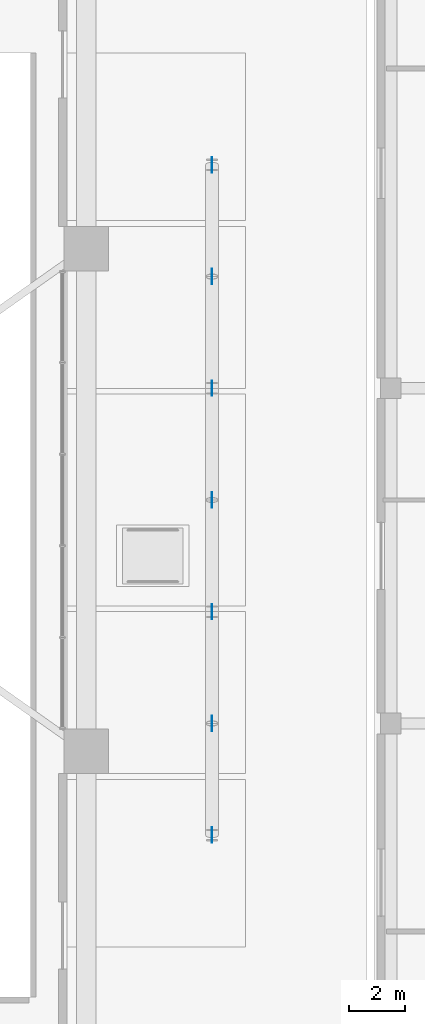
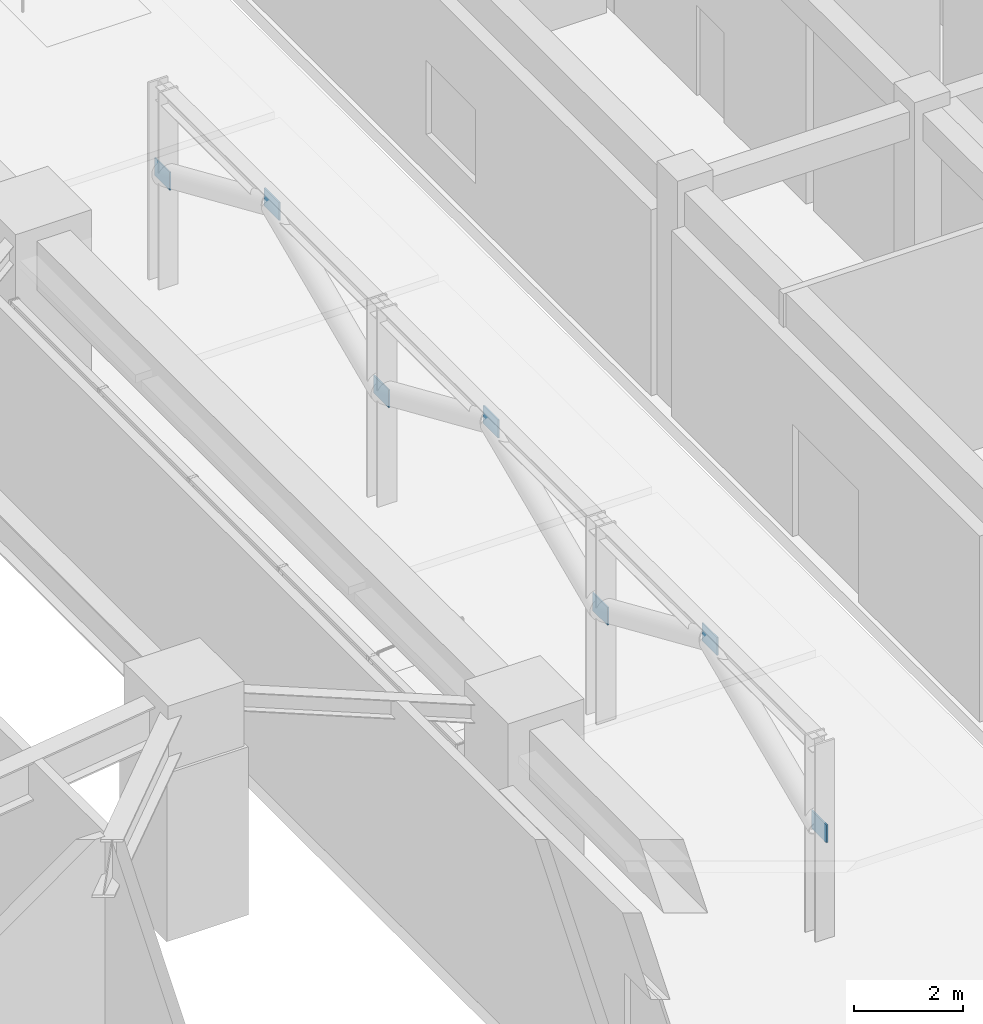
# One storey, part 17 of 27: 7 plates.
"""IFC4 building model written with IfcOpenShell, lengths in metres."""

from ifc_helpers import new_model, si_unit, direction, frame, origin, origin_2d, place, context, subcontext, project, spatial, rectangle, extrude, source, transform, mapped, material, layer, layer_set, type_object, element, save


model = new_model("IFC4")

# Units and contexts
model_context = context("Model", 3, precision=1e-05, world=origin(), true_north=direction((0.0, 1.0)))
body_context = subcontext(model_context, "Body", "Model", "MODEL_VIEW")
ifc_project = project(units=[si_unit("LENGTHUNIT", "METRE"), si_unit("AREAUNIT", "SQUARE_METRE"), si_unit("VOLUMEUNIT", "CUBIC_METRE"), si_unit("PLANEANGLEUNIT", "RADIAN"), si_unit("MASSUNIT", "GRAM", prefix="KILO")], contexts=[model_context])

# Site, building, storey
site_placement = place(None, origin())
site = spatial("IfcSite", under=ifc_project, at=site_placement, CompositionType="ELEMENT")
building_placement = place(site_placement, origin())
building = spatial("IfcBuilding", under=site, at=building_placement, Name="Veraguas Prism Commons", CompositionType="ELEMENT")
storey_placement = place(building_placement, origin())
storey = spatial("IfcBuildingStorey", under=building, at=storey_placement, Name="L00", CompositionType="ELEMENT", Elevation=0.0)

# Plates
ifc_material = material(Name="Steel ASTM A572 Grade 50", Category="steel")
ifc_layer = layer(ifc_material, 0.030029296875, Name="Hollow Brace End Cap Plate 550x400x30", Category="steel")
ifc_layer_set = layer_set([ifc_layer], Name="Steel ASTM A572 Grade 50")
plate_type = type_object("IfcPlateType", Name="Hollow Brace End Cap Plate 550x400x30", PredefinedType="USERDEFINED", material=ifc_layer_set)
shared_shape = source(origin(), body_context, "Body", "SweptSolid", [
    extrude(rectangle(XDim=0.550048828125, YDim=0.030029296875, at=origin_2d()), origin(), (0.0, 0.0, 1.0), 0.39990234375),
])
for number, where, z_axis, x_axis, name in (
    (1, (51.199951171875, 16.0, 3.949951171875), (0.0, 0.0, 1.0), (0.0, 1.0, 0.0), "Canopy Brace Apex Gusset Plate 01"),
    (2, (51.199951171875, 24.0, 3.949951171875), (0.0, 0.0, 1.0), (0.0, 1.0, 0.0), "Canopy Brace Apex Gusset Plate 02"),
    (3, (51.199951171875, 32.0, 3.949951171875), (0.0, 0.0, 1.0), (0.0, 1.0, 0.0), "Canopy Brace Apex Gusset Plate 03"),
    (4, (51.199951171875, 12.0, 2.199951171875), (0.0, 0.0, 1.0), (0.0, 1.0, 0.0), "Canopy Brace Column Gusset Plate 01"),
    (5, (51.199951171875, 20.0, 2.199951171875), (0.0, 0.0, 1.0), (0.0, 1.0, 0.0), "Canopy Brace Column Gusset Plate 02"),
    (6, (51.199951171875, 28.0, 2.199951171875), (0.0, 0.0, 1.0), (0.0, 1.0, 0.0), "Canopy Brace Column Gusset Plate 03"),
    (7, (51.199951171875, 36.0, 2.199951171875), (0.0, 0.0, 1.0), (0.0, 1.0, 0.0), "Canopy Brace Column Gusset Plate 04"),
):
    element("IfcPlate", number, at=place(storey_placement, frame(where, z_axis=z_axis, x_axis=x_axis)), inside=storey, type_object=plate_type, Name=name, ObjectType="STIFFENER PLATE", PredefinedType="USERDEFINED", context=body_context, shape_type="MappedRepresentation", body=[
        mapped(shared_shape, transform((0.0, 0.0, 0.0), scale=1.0)),
    ])

save(model, "model.ifc")
